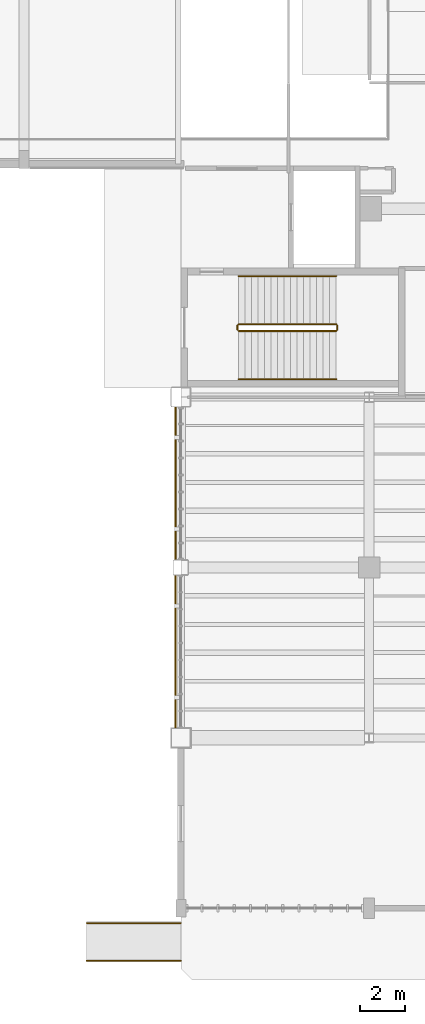
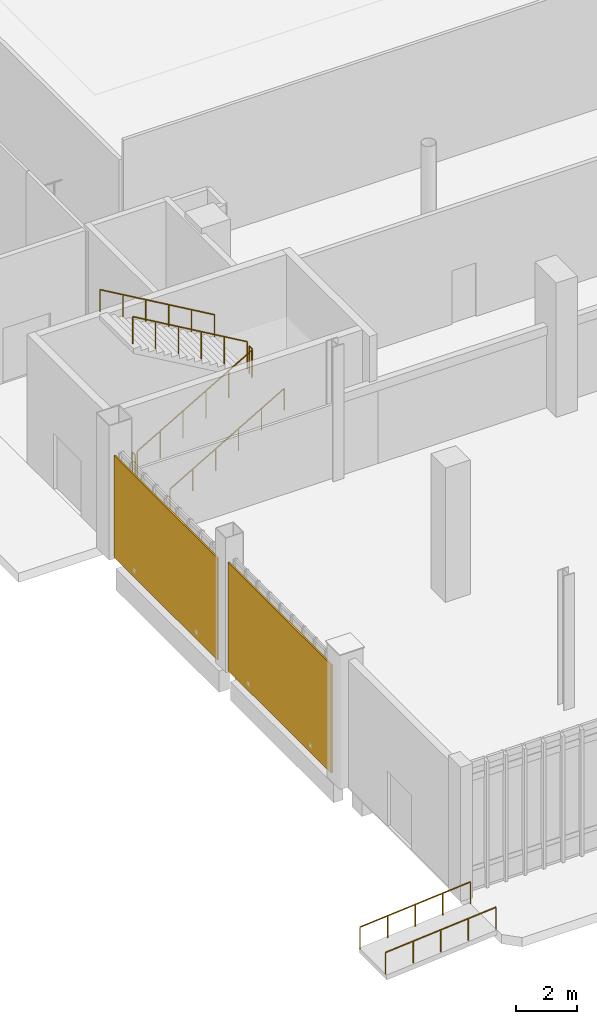
# One storey, part 99 of 111: 8 railings, 2 shading devices.
"""IFC4 building model written with IfcOpenShell, lengths in metres."""

from ifc_helpers import new_model, si_unit, direction, frame, origin, origin_2d, place, context, subcontext, project, spatial, rectangle, circle, extrude, material, layer, layer_set, type_object, element, save


model = new_model("IFC4")

# Units and contexts
model_context = context("Model", 3, precision=1e-05, world=origin(), true_north=direction((0.0, 1.0)))
body_context = subcontext(model_context, "Body", "Model", "MODEL_VIEW")
ifc_project = project(units=[si_unit("LENGTHUNIT", "METRE"), si_unit("AREAUNIT", "SQUARE_METRE"), si_unit("VOLUMEUNIT", "CUBIC_METRE"), si_unit("PLANEANGLEUNIT", "RADIAN"), si_unit("MASSUNIT", "GRAM", prefix="KILO")], contexts=[model_context])

# Site, building, storey
site_placement = place(None, origin())
site = spatial("IfcSite", under=ifc_project, at=site_placement, CompositionType="ELEMENT")
building_placement = place(site_placement, origin())
building = spatial("IfcBuilding", under=site, at=building_placement, Name="Larkvane Passage Sports Hall", CompositionType="ELEMENT")
storey_placement = place(building_placement, origin())
storey = spatial("IfcBuildingStorey", under=building, at=storey_placement, Name="L00", CompositionType="ELEMENT", Elevation=0.0)

# Railings
ifc_material_1 = material(Name="Steel S355JR", Category="steel")
railing_type_1 = type_object("IfcRailingType", Name="RL-GUARD-1120", PredefinedType="GUARDRAIL", material=ifc_material_1)
railing_1_placement = place(storey_placement, frame((37.3798828125, 25.75, 0.168701171875)))
element("IfcRailing", 1, at=railing_1_placement, inside=storey, type_object=railing_type_1, Name="L00 ST-01 stair guard 1", PredefinedType="GUARDRAIL", context=body_context, shape_type="SweptSolid", body=[
    extrude(circle(Radius=0.02392578125, at=origin_2d()), frame((0.001708984375, 0.0, 1.09716796875), z_axis=(0.864323800911, 0.0, 0.50293574856), x_axis=(0.0, 1.0, 0.0)), (0.0, 0.0, 1.0), 5.029052734375),
    extrude(circle(Radius=0.02099609375, at=origin_2d()), origin(), (0.0, 0.0, 1.0), 1.072021484375),
    extrude(circle(Radius=0.02099609375, at=origin_2d()), frame((0.8701171875, 0.0, 0.50634765625)), (0.0, 0.0, 1.0), 1.072021484375),
    extrude(circle(Radius=0.02099609375, at=origin_2d()), frame((1.739990234375, 0.0, 1.012451171875)), (0.0, 0.0, 1.0), 1.072021484375),
    extrude(circle(Radius=0.02099609375, at=origin_2d()), frame((2.610107421875, 0.0, 1.518798828125)), (0.0, 0.0, 1.0), 1.072021484375),
    extrude(circle(Radius=0.02099609375, at=origin_2d()), frame((3.47998046875, 0.0, 2.02490234375)), (0.0, 0.0, 1.0), 1.072021484375),
    extrude(circle(Radius=0.02099609375, at=origin_2d()), frame((4.35009765625, 0.0, 2.53125)), (0.0, 0.0, 1.0), 1.072021484375),
])
railing_2_placement = place(storey_placement, frame((41.780029296875, 25.800048828125, 2.699951171875)))
element("IfcRailing", 2, at=railing_2_placement, inside=storey, type_object=railing_type_1, Name="L00 ST-01 stair guard 2", PredefinedType="GUARDRAIL", context=body_context, shape_type="SweptSolid", body=[
    extrude(circle(Radius=0.02392578125, at=origin_2d()), frame((0.0, 0.001953125, 1.09619140625), z_axis=(0.0, 1.0, 0.0), x_axis=(-1.0, 0.0, 0.0)), (0.0, 0.0, 1.0), 0.196044921875),
    extrude(circle(Radius=0.02099609375, at=origin_2d()), origin(), (0.0, 0.0, 1.0), 1.072021484375),
    extrude(circle(Radius=0.02099609375, at=origin_2d()), frame((0.0, 0.199951171875, 0.0)), (0.0, 0.0, 1.0), 1.072021484375),
])
railing_3_placement = place(storey_placement, frame((41.72998046875, 26.050048828125, 2.86865234375)))
element("IfcRailing", 3, at=railing_3_placement, inside=storey, type_object=railing_type_1, Name="L00 ST-01 stair guard 3", PredefinedType="GUARDRAIL", context=body_context, shape_type="SweptSolid", body=[
    extrude(circle(Radius=0.02392578125, at=origin_2d()), frame((-0.001708984375, 0.0, 1.09716796875), z_axis=(-0.864323800911, 0.0, 0.50293574856), x_axis=(0.0, -1.0, 0.0)), (0.0, 0.0, 1.0), 5.029052734375),
    extrude(circle(Radius=0.02099609375, at=origin_2d()), origin(), (0.0, 0.0, 1.0), 1.072021484375),
    extrude(circle(Radius=0.02099609375, at=origin_2d()), frame((-0.8701171875, 0.0, 0.50634765625)), (0.0, 0.0, 1.0), 1.072021484375),
    extrude(circle(Radius=0.02099609375, at=origin_2d()), frame((-1.739990234375, 0.0, 1.012451171875)), (0.0, 0.0, 1.0), 1.072021484375),
    extrude(circle(Radius=0.02099609375, at=origin_2d()), frame((-2.610107421875, 0.0, 1.518798828125)), (0.0, 0.0, 1.0), 1.072021484375),
    extrude(circle(Radius=0.02099609375, at=origin_2d()), frame((-3.47998046875, 0.0, 2.02490234375)), (0.0, 0.0, 1.0), 1.072021484375),
    extrude(circle(Radius=0.02099609375, at=origin_2d()), frame((-4.35009765625, 0.0, 2.53125)), (0.0, 0.0, 1.0), 1.072021484375),
])
railing_4_placement = place(storey_placement, frame((37.330078125, 25.800048828125, 0.0)))
element("IfcRailing", 4, at=railing_4_placement, inside=storey, type_object=railing_type_1, Name="L00 ST-01 stair guard 4", PredefinedType="GUARDRAIL", context=body_context, shape_type="SweptSolid", body=[
    extrude(circle(Radius=0.02392578125, at=origin_2d()), frame((0.0, 0.001953125, 1.09619140625), z_axis=(0.0, 1.0, 0.0), x_axis=(-1.0, 0.0, 0.0)), (0.0, 0.0, 1.0), 0.196044921875),
    extrude(circle(Radius=0.02099609375, at=origin_2d()), origin(), (0.0, 0.0, 1.0), 1.072021484375),
    extrude(circle(Radius=0.02099609375, at=origin_2d()), frame((0.0, 0.199951171875, 0.0)), (0.0, 0.0, 1.0), 1.072021484375),
])
ifc_material_2 = material(Name="Stainless steel S355JR", Category="steel")
railing_type_2 = type_object("IfcRailingType", Name="RL-HAND-920", PredefinedType="HANDRAIL", material=ifc_material_2)
railing_5_placement = place(storey_placement, frame((37.3798828125, 23.60009765625, 0.168701171875)))
element("IfcRailing", 5, at=railing_5_placement, inside=storey, type_object=railing_type_2, Name="L00 ST-01 stair handrail 1", PredefinedType="HANDRAIL", context=body_context, shape_type="SweptSolid", body=[
    extrude(circle(Radius=0.02392578125, at=origin_2d()), frame((0.001708984375, 0.0, 0.876953125), z_axis=(0.864323800911, 0.0, 0.50293574856), x_axis=(0.0, 1.0, 0.0)), (0.0, 0.0, 1.0), 5.029052734375),
    extrude(circle(Radius=0.02099609375, at=origin_2d()), origin(), (0.0, 0.0, 1.0), 0.851806640625),
    extrude(circle(Radius=0.02099609375, at=origin_2d()), frame((0.8701171875, 0.0, 0.50634765625)), (0.0, 0.0, 1.0), 0.851806640625),
    extrude(circle(Radius=0.02099609375, at=origin_2d()), frame((1.739990234375, 0.0, 1.012451171875)), (0.0, 0.0, 1.0), 0.851806640625),
    extrude(circle(Radius=0.02099609375, at=origin_2d()), frame((2.610107421875, 0.0, 1.518798828125)), (0.0, 0.0, 1.0), 0.851806640625),
    extrude(circle(Radius=0.02099609375, at=origin_2d()), frame((3.47998046875, 0.0, 2.02490234375)), (0.0, 0.0, 1.0), 0.851806640625),
    extrude(circle(Radius=0.02099609375, at=origin_2d()), frame((4.35009765625, 0.0, 2.53125)), (0.0, 0.0, 1.0), 0.851806640625),
])
railing_6_placement = place(storey_placement, frame((41.72998046875, 28.199951171875, 2.86865234375)))
element("IfcRailing", 6, at=railing_6_placement, inside=storey, type_object=railing_type_2, Name="L00 ST-01 stair handrail 2", PredefinedType="HANDRAIL", context=body_context, shape_type="SweptSolid", body=[
    extrude(circle(Radius=0.02392578125, at=origin_2d()), frame((-0.001708984375, 0.0, 0.876953125), z_axis=(-0.864323800911, 0.0, 0.50293574856), x_axis=(0.0, -1.0, 0.0)), (0.0, 0.0, 1.0), 5.029052734375),
    extrude(circle(Radius=0.02099609375, at=origin_2d()), origin(), (0.0, 0.0, 1.0), 0.851806640625),
    extrude(circle(Radius=0.02099609375, at=origin_2d()), frame((-0.8701171875, 0.0, 0.50634765625)), (0.0, 0.0, 1.0), 0.851806640625),
    extrude(circle(Radius=0.02099609375, at=origin_2d()), frame((-1.739990234375, 0.0, 1.012451171875)), (0.0, 0.0, 1.0), 0.851806640625),
    extrude(circle(Radius=0.02099609375, at=origin_2d()), frame((-2.610107421875, 0.0, 1.518798828125)), (0.0, 0.0, 1.0), 0.851806640625),
    extrude(circle(Radius=0.02099609375, at=origin_2d()), frame((-3.47998046875, 0.0, 2.02490234375)), (0.0, 0.0, 1.0), 0.851806640625),
    extrude(circle(Radius=0.02099609375, at=origin_2d()), frame((-4.35009765625, 0.0, 2.53125)), (0.0, 0.0, 1.0), 0.851806640625),
])
for number, where, name in (
    (7, (30.60009765625, -2.340087890625, -0.35009765625), "Accessible ramp handrail RA-02-S"),
    (8, (30.60009765625, -0.659912109375, -0.35009765625), "Accessible ramp handrail RA-02-N"),
):
    element("IfcRailing", number, at=place(storey_placement, frame(where)), inside=storey, type_object=railing_type_2, Name=name, PredefinedType="HANDRAIL", context=body_context, shape_type="SweptSolid", body=[
        extrude(circle(Radius=0.02392578125, at=origin_2d()), frame((0.001953125, 0.0, 0.8759765625), z_axis=(0.996543760423, 0.0, 0.083069450238), x_axis=(0.0, 1.0, 0.0)), (0.0, 0.0, 1.0), 4.21044921875),
        extrude(circle(Radius=0.02099609375, at=origin_2d()), origin(), (0.0, 0.0, 1.0), 0.851806640625),
        extrude(circle(Radius=0.02099609375, at=origin_2d()), frame((1.050048828125, 0.0, 0.08740234375)), (0.0, 0.0, 1.0), 0.851806640625),
        extrude(circle(Radius=0.02099609375, at=origin_2d()), frame((2.10009765625, 0.0, 0.175048828125)), (0.0, 0.0, 1.0), 0.851806640625),
        extrude(circle(Radius=0.02099609375, at=origin_2d()), frame((3.14990234375, 0.0, 0.2626953125)), (0.0, 0.0, 1.0), 0.851806640625),
        extrude(circle(Radius=0.02099609375, at=origin_2d()), frame((4.199951171875, 0.0, 0.35009765625)), (0.0, 0.0, 1.0), 0.851806640625),
    ])

# Shading devices
ifc_material_3 = material(Name="Perforated anodised aluminium 5052-H32", Category="aluminium")
ifc_layer = layer(ifc_material_3, 0.06005859375)
ifc_layer_set = layer_set([ifc_layer], Name="Perforated anodised aluminium 5052-H32")
shading_device_type = type_object("IfcShadingDeviceType", Name="SHD-VEIL-PERF", PredefinedType="SHUTTER", material=ifc_layer_set)
shading_device_1_placement = place(storey_placement, frame((34.56005859375, 11.449951171875, 0.06005859375), z_axis=(0.0, 0.0, 1.0), x_axis=(0.0, 1.0, 0.0)))
element("IfcShadingDevice", 9, at=shading_device_1_placement, inside=storey, type_object=shading_device_type, Name="Solar veil screen L00-001", PredefinedType="SHUTTER", context=body_context, shape_type="SweptSolid", body=[
    extrude(rectangle(XDim=6.80810546875, YDim=0.06005859375, at=origin_2d()), origin(), (0.0, 0.0, 1.0), 4.347900390625),
])
shading_device_2_placement = place(storey_placement, frame((34.56005859375, 18.949951171875, 0.06005859375), z_axis=(0.0, 0.0, 1.0), x_axis=(0.0, 1.0, 0.0)))
element("IfcShadingDevice", 10, at=shading_device_2_placement, inside=storey, type_object=shading_device_type, Name="Solar veil screen L00-002", PredefinedType="SHUTTER", context=body_context, shape_type="SweptSolid", body=[
    extrude(rectangle(XDim=6.80810546875, YDim=0.06005859375, at=origin_2d()), origin(), (0.0, 0.0, 1.0), 4.097900390625),
])

save(model, "model.ifc")
